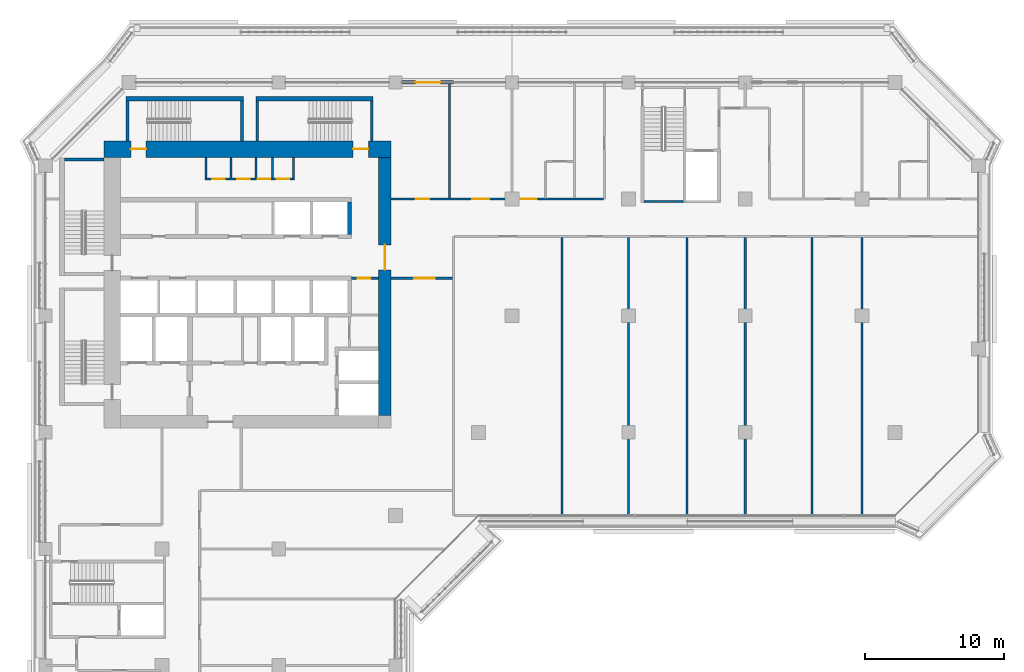
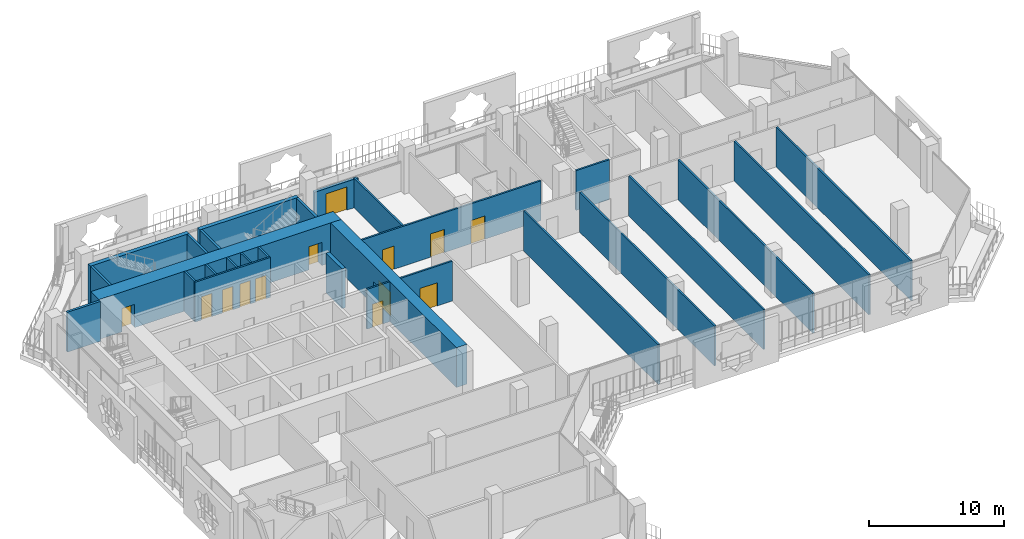
# One storey, part 12 of 21: 28 walls, 13 doors, 13 openings.
"""IFC4 building model written with IfcOpenShell, lengths in metres."""

from ifc_helpers import new_model, si_unit, direction, frame, frame_2d, origin, place, context, subcontext, project, spatial, rectangle, extrude, material, layer, layer_set, type_object, element, fill, save


model = new_model("IFC4")

# Units and contexts
model_context = context("Model", 3, precision=1e-05, world=origin(), true_north=direction((0.0, 1.0)))
body_context = subcontext(model_context, "Body", "Model", "MODEL_VIEW")
ifc_project = project(units=[si_unit("LENGTHUNIT", "METRE"), si_unit("AREAUNIT", "SQUARE_METRE"), si_unit("VOLUMEUNIT", "CUBIC_METRE"), si_unit("PLANEANGLEUNIT", "RADIAN"), si_unit("MASSUNIT", "GRAM", prefix="KILO")], contexts=[model_context])

# Site, building, storey
site_placement = place(None, origin())
site = spatial("IfcSite", under=ifc_project, at=site_placement, CompositionType="ELEMENT")
building_placement = place(site_placement, origin())
building = spatial("IfcBuilding", under=site, at=building_placement, Name="Kawkab Arch Medical Tower", CompositionType="ELEMENT")
storey_placement = place(building_placement, frame((0.0, 0.0, 200.39990234375)))
storey = spatial("IfcBuildingStorey", under=building, at=storey_placement, Name="L46", CompositionType="ELEMENT", Elevation=200.39990234375)

# Wall, openings, doors
ifc_material_1 = material(Name="Concrete C55/67", Category="concrete")
ifc_layer_1 = layer(ifc_material_1, 1.199951171875)
ifc_layer_set_1 = layer_set([ifc_layer_1], Name="Concrete C55/67")
wall_type_1 = type_object("IfcWallType", Name="Core ring wall 1200 C55/67", PredefinedType="SHEAR", material=ifc_layer_set_1)
wall_1_placement = place(storey_placement, frame((4.199951171875, -4.800048828125, 0.0), z_axis=(0.0, 0.0, 1.0), x_axis=(1.0, 0.0, 0.0)))
wall_1 = element("IfcWall", 1, at=wall_1_placement, inside=storey, type_object=wall_type_1, Name="L46 core wall", PredefinedType="SHEAR", context=body_context, shape_type="SweptSolid", body=[
    extrude(rectangle(XDim=20.699951171875, YDim=1.199951171875, at=frame_2d((10.35009765625, 0.0))), origin(), (0.0, 0.0, 1.0), 3.60009765625),
])
opening_1_placement = place(wall_1_placement, frame((1.949951171875, 0.0, 0.0)))
opening_1 = element("IfcOpeningElement", 2, at=opening_1_placement, cuts=wall_1, Name="Opening SD", PredefinedType="OPENING", context=body_context, shape_type="SweptSolid", body=[
    extrude(rectangle(XDim=1.10009765625, YDim=2.10009765625, at=frame_2d((0.550048828125, 1.050048828125))), frame((0.0, 0.60986328125, 0.0), z_axis=(0.0, -1.0, 0.0), x_axis=(1.0, 0.0, 0.0)), (0.0, 0.0, 1.0), 1.219970703125),
])
opening_2_placement = place(wall_1_placement, frame((17.949951171875, 0.0, 0.0)))
opening_2 = element("IfcOpeningElement", 3, at=opening_2_placement, cuts=wall_1, Name="Opening SD", PredefinedType="OPENING", context=body_context, shape_type="SweptSolid", body=[
    extrude(rectangle(XDim=1.10009765625, YDim=2.10009765625, at=frame_2d((0.550048828125, 1.050048828125))), frame((0.0, 0.60986328125, 0.0), z_axis=(0.0, -1.0, 0.0), x_axis=(1.0, 0.0, 0.0)), (0.0, 0.0, 1.0), 1.219970703125),
])
ifc_material_2 = material(Name="Hollow metal fire door leaf")
door_type_1 = type_object("IfcDoorType", Name="Exit stair door 1100", OperationType="SINGLE_SWING_LEFT", PredefinedType="DOOR", material=ifc_material_2)
door_1_placement = place(opening_1_placement, origin())
door_1 = element("IfcDoor", 4, at=door_1_placement, inside=storey, type_object=door_type_1, Name="L46 Exit stair ST3 door", OperationType="SINGLE_SWING_LEFT", OverallHeight=2.10009765625, OverallWidth=1.10009765625, PredefinedType="DOOR", context=body_context, shape_type="SweptSolid", body=[
    extrude(rectangle(XDim=1.10009765625, YDim=2.10009765625, at=frame_2d((0.550048828125, 1.050048828125))), frame((0.0, 0.02490234375, 0.0), z_axis=(0.0, -1.0, 0.0), x_axis=(1.0, 0.0, 0.0)), (0.0, 0.0, 1.0), 0.050048828125),
])
fill(opening_1, door_1)
door_2_placement = place(opening_2_placement, origin())
door_2 = element("IfcDoor", 5, at=door_2_placement, inside=storey, type_object=door_type_1, Name="L46 Exit stair ST4 door", OperationType="SINGLE_SWING_LEFT", OverallHeight=2.10009765625, OverallWidth=1.10009765625, PredefinedType="DOOR", context=body_context, shape_type="SweptSolid", body=[
    extrude(rectangle(XDim=1.10009765625, YDim=2.10009765625, at=frame_2d((0.550048828125, 1.050048828125))), frame((0.0, 0.02490234375, 0.0), z_axis=(0.0, -1.0, 0.0), x_axis=(1.0, 0.0, 0.0)), (0.0, 0.0, 1.0), 0.050048828125),
])
fill(opening_2, door_2)

# Wall, opening, door
ifc_material_3 = material(Name="Concrete C55/67", Category="concrete")
ifc_layer_2 = layer(ifc_material_3, 0.89990234375)
ifc_layer_set_2 = layer_set([ifc_layer_2], Name="Concrete C55/67")
wall_type_2 = type_object("IfcWallType", Name="Core ring wall 900 C55/67", PredefinedType="SHEAR", material=ifc_layer_set_2)
wall_2_placement = place(storey_placement, frame((24.449951171875, -24.0, 0.0), z_axis=(0.0, 0.0, 1.0), x_axis=(0.0, 1.0, 0.0)))
wall_2 = element("IfcWall", 6, at=wall_2_placement, inside=storey, type_object=wall_type_2, Name="L46 core wall", PredefinedType="SHEAR", context=body_context, shape_type="SweptSolid", body=[
    extrude(rectangle(XDim=18.60009765625, YDim=0.89990234375, at=frame_2d((9.300048828125, 0.0))), origin(), (0.0, 0.0, 1.0), 3.60009765625),
])
opening_3_placement = place(wall_2_placement, frame((10.5, 0.0, 0.0)))
opening_3 = element("IfcOpeningElement", 7, at=opening_3_placement, cuts=wall_2, Name="Opening PD", PredefinedType="OPENING", context=body_context, shape_type="SweptSolid", body=[
    extrude(rectangle(XDim=1.800048828125, YDim=2.10009765625, at=frame_2d((0.89990234375, 1.050048828125))), frame((0.0, 0.4599609375, 0.0), z_axis=(0.0, -1.0, 0.0), x_axis=(1.0, 0.0, 0.0)), (0.0, 0.0, 1.0), 0.919921875),
])
ifc_material_4 = material(Name="Hollow metal fire door leaf")
door_type_2 = type_object("IfcDoorType", Name="Core entrance doors 1800", OperationType="DOUBLE_DOOR_SINGLE_SWING", PredefinedType="DOOR", material=ifc_material_4)
door_3_placement = place(opening_3_placement, origin())
door_3 = element("IfcDoor", 8, at=door_3_placement, inside=storey, type_object=door_type_2, Name="L46 East entrance doors", OperationType="DOUBLE_DOOR_SINGLE_SWING", OverallHeight=2.10009765625, OverallWidth=1.800048828125, PredefinedType="DOOR", context=body_context, shape_type="SweptSolid", body=[
    extrude(rectangle(XDim=1.800048828125, YDim=2.10009765625, at=frame_2d((0.89990234375, 1.050048828125))), frame((0.0, 0.02490234375, 0.0), z_axis=(0.0, -1.0, 0.0), x_axis=(1.0, 0.0, 0.0)), (0.0, 0.0, 1.0), 0.050048828125),
])
fill(opening_3, door_3)

ifc_material_5 = material(Name="Gypsum board on steel studs", Category="steel")
ifc_layer_3 = layer(ifc_material_5, 0.14990234375)
ifc_layer_set_3 = layer_set([ifc_layer_3], Name="Gypsum board on steel studs")
wall_type_3 = type_object("IfcWallType", Name="Core room partition 150", PredefinedType="PARTITIONING", material=ifc_layer_set_3)
wall_3_placement = place(storey_placement, frame((22.050048828125, -14.10009765625, 0.0), z_axis=(0.0, 0.0, 1.0), x_axis=(1.0, 0.0, 0.0)))
wall_3 = element("IfcWall", 9, at=wall_3_placement, inside=storey, type_object=wall_type_3, Name="L46 core room partition", PredefinedType="PARTITIONING", context=body_context, shape_type="SweptSolid", body=[
    extrude(rectangle(XDim=1.949951171875, YDim=0.14990234375, at=frame_2d((0.97509765625, 0.0))), origin(), (0.0, 0.0, 1.0), 3.60009765625),
])
opening_4_placement = place(wall_3_placement, frame((0.449951171875, 0.0, 0.0)))
opening_4 = element("IfcOpeningElement", 10, at=opening_4_placement, cuts=wall_3, Name="Opening RD", PredefinedType="OPENING", context=body_context, shape_type="SweptSolid", body=[
    extrude(rectangle(XDim=0.89990234375, YDim=2.10009765625, at=frame_2d((0.449951171875, 1.050048828125))), frame((0.0, 0.0849609375, 0.0), z_axis=(0.0, -1.0, 0.0), x_axis=(1.0, 0.0, 0.0)), (0.0, 0.0, 1.0), 0.169921875),
])
ifc_material_6 = material(Name="Hollow metal fire door leaf")
door_type_3 = type_object("IfcDoorType", Name="Core room door 900", OperationType="SINGLE_SWING_LEFT", PredefinedType="DOOR", material=ifc_material_6)
door_4_placement = place(opening_4_placement, origin())
door_4 = element("IfcDoor", 11, at=door_4_placement, inside=storey, type_object=door_type_3, Name="L46 UPS room door", OperationType="SINGLE_SWING_LEFT", OverallHeight=2.10009765625, OverallWidth=0.89990234375, PredefinedType="DOOR", context=body_context, shape_type="SweptSolid", body=[
    extrude(rectangle(XDim=0.89990234375, YDim=2.10009765625, at=frame_2d((0.449951171875, 1.050048828125))), frame((0.0, 0.02490234375, 0.0), z_axis=(0.0, -1.0, 0.0), x_axis=(1.0, 0.0, 0.0)), (0.0, 0.0, 1.0), 0.050048828125),
])
fill(opening_4, door_4)

# Wall, openings, doors
wall_4_placement = place(storey_placement, frame((11.47509765625, -6.949951171875, 0.0), z_axis=(0.0, 0.0, 1.0), x_axis=(1.0, 0.0, 0.0)))
wall_4 = element("IfcWall", 12, at=wall_4_placement, inside=storey, type_object=wall_type_3, Name="L46 core room partition", PredefinedType="PARTITIONING", context=body_context, shape_type="SweptSolid", body=[
    extrude(rectangle(XDim=6.449951171875, YDim=0.14990234375, at=frame_2d((3.22509765625, 0.0))), origin(), (0.0, 0.0, 1.0), 3.60009765625),
])
opening_5_placement = place(wall_4_placement, frame((0.52490234375, 0.0, 0.0)))
opening_5 = element("IfcOpeningElement", 13, at=opening_5_placement, cuts=wall_4, Name="Opening RD", PredefinedType="OPENING", context=body_context, shape_type="SweptSolid", body=[
    extrude(rectangle(XDim=0.89990234375, YDim=2.10009765625, at=frame_2d((0.449951171875, 1.050048828125))), frame((0.0, 0.0849609375, 0.0), z_axis=(0.0, -1.0, 0.0), x_axis=(1.0, 0.0, 0.0)), (0.0, 0.0, 1.0), 0.169921875),
])
opening_6_placement = place(wall_4_placement, frame((2.324951171875, 0.0, 0.0)))
opening_6 = element("IfcOpeningElement", 14, at=opening_6_placement, cuts=wall_4, Name="Opening RD", PredefinedType="OPENING", context=body_context, shape_type="SweptSolid", body=[
    extrude(rectangle(XDim=0.89990234375, YDim=2.10009765625, at=frame_2d((0.449951171875, 1.050048828125))), frame((0.0, 0.0849609375, 0.0), z_axis=(0.0, -1.0, 0.0), x_axis=(1.0, 0.0, 0.0)), (0.0, 0.0, 1.0), 0.169921875),
])
opening_7_placement = place(wall_4_placement, frame((3.824951171875, 0.0, 0.0)))
opening_7 = element("IfcOpeningElement", 15, at=opening_7_placement, cuts=wall_4, Name="Opening RD", PredefinedType="OPENING", context=body_context, shape_type="SweptSolid", body=[
    extrude(rectangle(XDim=0.89990234375, YDim=2.10009765625, at=frame_2d((0.449951171875, 1.050048828125))), frame((0.0, 0.0849609375, 0.0), z_axis=(0.0, -1.0, 0.0), x_axis=(1.0, 0.0, 0.0)), (0.0, 0.0, 1.0), 0.169921875),
])
opening_8_placement = place(wall_4_placement, frame((5.175048828125, 0.0, 0.0)))
opening_8 = element("IfcOpeningElement", 16, at=opening_8_placement, cuts=wall_4, Name="Opening RD", PredefinedType="OPENING", context=body_context, shape_type="SweptSolid", body=[
    extrude(rectangle(XDim=0.89990234375, YDim=2.10009765625, at=frame_2d((0.449951171875, 1.050048828125))), frame((0.0, 0.0849609375, 0.0), z_axis=(0.0, -1.0, 0.0), x_axis=(1.0, 0.0, 0.0)), (0.0, 0.0, 1.0), 0.169921875),
])
door_5_placement = place(opening_5_placement, origin())
door_5 = element("IfcDoor", 17, at=door_5_placement, inside=storey, type_object=door_type_3, Name="L46 Linen store door", OperationType="SINGLE_SWING_LEFT", OverallHeight=2.10009765625, OverallWidth=0.89990234375, PredefinedType="DOOR", context=body_context, shape_type="SweptSolid", body=[
    extrude(rectangle(XDim=0.89990234375, YDim=2.10009765625, at=frame_2d((0.449951171875, 1.050048828125))), frame((0.0, 0.02490234375, 0.0), z_axis=(0.0, -1.0, 0.0), x_axis=(1.0, 0.0, 0.0)), (0.0, 0.0, 1.0), 0.050048828125),
])
fill(opening_5, door_5)
door_6_placement = place(opening_6_placement, origin())
door_6 = element("IfcDoor", 18, at=door_6_placement, inside=storey, type_object=door_type_3, Name="L46 Comms room door", OperationType="SINGLE_SWING_LEFT", OverallHeight=2.10009765625, OverallWidth=0.89990234375, PredefinedType="DOOR", context=body_context, shape_type="SweptSolid", body=[
    extrude(rectangle(XDim=0.89990234375, YDim=2.10009765625, at=frame_2d((0.449951171875, 1.050048828125))), frame((0.0, 0.02490234375, 0.0), z_axis=(0.0, -1.0, 0.0), x_axis=(1.0, 0.0, 0.0)), (0.0, 0.0, 1.0), 0.050048828125),
])
fill(opening_6, door_6)
door_7_placement = place(opening_7_placement, origin())
door_7 = element("IfcDoor", 19, at=door_7_placement, inside=storey, type_object=door_type_3, Name="L46 Electrical riser room door", OperationType="SINGLE_SWING_LEFT", OverallHeight=2.10009765625, OverallWidth=0.89990234375, PredefinedType="DOOR", context=body_context, shape_type="SweptSolid", body=[
    extrude(rectangle(XDim=0.89990234375, YDim=2.10009765625, at=frame_2d((0.449951171875, 1.050048828125))), frame((0.0, 0.02490234375, 0.0), z_axis=(0.0, -1.0, 0.0), x_axis=(1.0, 0.0, 0.0)), (0.0, 0.0, 1.0), 0.050048828125),
])
fill(opening_7, door_7)
door_8_placement = place(opening_8_placement, origin())
door_8 = element("IfcDoor", 20, at=door_8_placement, inside=storey, type_object=door_type_3, Name="L46 Ward pantry door", OperationType="SINGLE_SWING_LEFT", OverallHeight=2.10009765625, OverallWidth=0.89990234375, PredefinedType="DOOR", context=body_context, shape_type="SweptSolid", body=[
    extrude(rectangle(XDim=0.89990234375, YDim=2.10009765625, at=frame_2d((0.449951171875, 1.050048828125))), frame((0.0, 0.02490234375, 0.0), z_axis=(0.0, -1.0, 0.0), x_axis=(1.0, 0.0, 0.0)), (0.0, 0.0, 1.0), 0.050048828125),
])
fill(opening_8, door_8)

# Walls
for number, where, z_axis, x_axis, name in (
    (21, (11.550048828125, -6.875, 0.0), (0.0, 0.0, 1.0), (0.0, 1.0, 0.0), "L46 core room partition"),
    (22, (13.35009765625, -6.875, 0.0), (0.0, 0.0, 1.0), (0.0, 1.0, 0.0), "L46 core room partition"),
    (23, (15.14990234375, -6.875, 0.0), (0.0, 0.0, 1.0), (0.0, 1.0, 0.0), "L46 core room partition"),
    (24, (16.35009765625, -6.875, 0.0), (0.0, 0.0, 1.0), (0.0, 1.0, 0.0), "L46 core room partition"),
    (25, (17.85009765625, -6.875, 0.0), (0.0, 0.0, 1.0), (0.0, 1.0, 0.0), "L46 core room partition"),
):
    element("IfcWall", number, at=place(storey_placement, frame(where, z_axis=z_axis, x_axis=x_axis)), inside=storey, type_object=wall_type_3, Name=name, PredefinedType="PARTITIONING", context=body_context, shape_type="SweptSolid", body=[
        extrude(rectangle(XDim=1.47509765625, YDim=0.14990234375, at=frame_2d((0.737548828125, 0.0))), origin(), (0.0, 0.0, 1.0), 3.60009765625),
    ])
ifc_material_7 = material(Name="Concrete C60/75", Category="concrete")
ifc_layer_4 = layer(ifc_material_7, 0.300048828125)
ifc_layer_set_4 = layer_set([ifc_layer_4], Name="Concrete C60/75")
wall_type_4 = type_object("IfcWallType", Name="Core shear wall 300 C60/75", PredefinedType="SHEAR", material=ifc_layer_set_4)
wall_5_placement = place(storey_placement, frame((21.89990234375, -10.949951171875, 0.0), z_axis=(0.0, 0.0, 1.0), x_axis=(0.0, 1.0, 0.0)))
element("IfcWall", 26, at=wall_5_placement, inside=storey, type_object=wall_type_4, Name="L46 core shear wall", PredefinedType="SHEAR", context=body_context, shape_type="SweptSolid", body=[
    extrude(rectangle(XDim=2.349853515625, YDim=0.300048828125, at=frame_2d((1.1748046875, 0.0))), origin(), (0.0, 0.0, 1.0), 3.60009765625),
])

# Wall, opening, door
ifc_material_8 = material(Name="Bronze clad insulated wall panel")
ifc_layer_5 = layer(ifc_material_8, 0.25)
ifc_layer_set_5 = layer_set([ifc_layer_5], Name="Bronze clad insulated wall panel")
wall_type_5 = type_object("IfcWallType", Name="External wall bay 250", PredefinedType="SOLIDWALL", material=ifc_layer_set_5)
wall_6_placement = place(storey_placement, frame((29.39990234375, 0.0, 0.0), z_axis=(0.0, 0.0, 1.0), x_axis=(-1.0, 0.0, 0.0)))
wall_6 = element("IfcWall", 27, at=wall_6_placement, inside=storey, type_object=wall_type_5, Name="External wall bay L46.R11.4.2", PredefinedType="SOLIDWALL", context=body_context, shape_type="SweptSolid", body=[
    extrude(rectangle(XDim=3.724853515625, YDim=0.25, at=frame_2d((1.8623046875, 0.0))), origin(), (0.0, 0.0, 1.0), 2.580078125),
])
opening_9_placement = place(wall_6_placement, frame((0.96240234375, 0.0, 0.0)))
opening_9 = element("IfcOpeningElement", 28, at=opening_9_placement, cuts=wall_6, Name="Opening W41-701", PredefinedType="OPENING", context=body_context, shape_type="SweptSolid", body=[
    extrude(rectangle(XDim=1.800048828125, YDim=2.10009765625, at=frame_2d((0.89990234375, 1.050048828125))), frame((0.0, 0.135009765625, 0.0), z_axis=(0.0, -1.0, 0.0), x_axis=(1.0, 0.0, 0.0)), (0.0, 0.0, 1.0), 0.27001953125),
])
ifc_material_9 = material(Name="Bronze anodised aluminium door with tinted glass", Category="aluminium")
door_type_4 = type_object("IfcDoorType", Name="Double external door 1800 x 2100", OperationType="DOUBLE_DOOR_SINGLE_SWING", PredefinedType="DOOR", material=ifc_material_9)
door_9_placement = place(opening_9_placement, origin())
door_9 = element("IfcDoor", 29, at=door_9_placement, inside=storey, type_object=door_type_4, Name="External door L46.R11.4.2", OperationType="DOUBLE_DOOR_SINGLE_SWING", OverallHeight=2.10009765625, OverallWidth=1.800048828125, PredefinedType="DOOR", context=body_context, shape_type="SweptSolid", body=[
    extrude(rectangle(XDim=1.800048828125, YDim=2.10009765625, at=frame_2d((0.89990234375, 1.050048828125))), frame((0.0, 0.02490234375, 0.0), z_axis=(0.0, -1.0, 0.0), x_axis=(1.0, 0.0, 0.0)), (0.0, 0.0, 1.0), 0.050048828125),
])
fill(opening_9, door_9)

ifc_material_10 = material(Name="Gypsum board partition on steel studs, mineral wool", Category="steel")
ifc_layer_6 = layer(ifc_material_10, 0.14990234375)
ifc_layer_set_6 = layer_set([ifc_layer_6], Name="Gypsum board partition on steel studs, mineral wool")
wall_type_6 = type_object("IfcWallType", Name="Partition 150", PredefinedType="PARTITIONING", material=ifc_layer_set_6)
wall_7_placement = place(storey_placement, frame((24.89990234375, -14.10009765625, 0.0), z_axis=(0.0, 0.0, 1.0), x_axis=(1.0, 0.0, 0.0)))
wall_7 = element("IfcWall", 30, at=wall_7_placement, inside=storey, type_object=wall_type_6, Name="Partition 150 w019", PredefinedType="PARTITIONING", context=body_context, shape_type="SweptSolid", body=[
    extrude(rectangle(XDim=4.425048828125, YDim=0.14990234375, at=frame_2d((2.21240234375, 0.0))), origin(), (0.0, 0.0, 1.0), 3.60009765625),
])
opening_10_placement = place(wall_7_placement, frame((1.64990234375, 0.0, 0.0)))
opening_10 = element("IfcOpeningElement", 31, at=opening_10_placement, cuts=wall_7, Name="Opening W41-001", PredefinedType="OPENING", context=body_context, shape_type="SweptSolid", body=[
    extrude(rectangle(XDim=1.5, YDim=2.10009765625, at=frame_2d((0.75, 1.050048828125))), frame((0.0, 0.0849609375, 0.0), z_axis=(0.0, -1.0, 0.0), x_axis=(1.0, 0.0, 0.0)), (0.0, 0.0, 1.0), 0.169921875),
])
ifc_material_11 = material(Name="Hollow metal door leaf")
door_type_5 = type_object("IfcDoorType", Name="Double door 1500x2100 FD30S", OperationType="NOTDEFINED", PredefinedType="DOOR", material=ifc_material_11)
door_10_placement = place(opening_10_placement, origin())
door_10 = element("IfcDoor", 32, at=door_10_placement, inside=storey, type_object=door_type_5, Name="Door W41-001", OperationType="DOUBLE_DOOR_SINGLE_SWING", OverallHeight=2.10009765625, OverallWidth=1.5, PredefinedType="DOOR", context=body_context, shape_type="SweptSolid", body=[
    extrude(rectangle(XDim=1.5, YDim=2.10009765625, at=frame_2d((0.75, 1.050048828125))), frame((0.0, 0.02490234375, 0.0), z_axis=(0.0, -1.0, 0.0), x_axis=(1.0, 0.0, 0.0)), (0.0, 0.0, 1.0), 0.050048828125),
])
fill(opening_10, door_10)

# Wall, openings, doors
wall_8_placement = place(storey_placement, frame((24.89990234375, -8.39990234375, 0.0), z_axis=(0.0, 0.0, 1.0), x_axis=(1.0, 0.0, 0.0)))
wall_8 = element("IfcWall", 33, at=wall_8_placement, inside=storey, type_object=wall_type_6, Name="Partition 150 w022", PredefinedType="PARTITIONING", context=body_context, shape_type="SweptSolid", body=[
    extrude(rectangle(XDim=15.281982421875, YDim=0.14990234375, at=frame_2d((7.64111328125, 0.0))), origin(), (0.0, 0.0, 1.0), 3.60009765625),
])
opening_11_placement = place(wall_8_placement, frame((1.75, 0.0, 0.0)))
opening_11 = element("IfcOpeningElement", 34, at=opening_11_placement, cuts=wall_8, Name="Opening W41-008", PredefinedType="OPENING", context=body_context, shape_type="SweptSolid", body=[
    extrude(rectangle(XDim=1.0, YDim=2.10009765625, at=frame_2d((0.5, 1.050048828125))), frame((0.0, 0.0849609375, 0.0), z_axis=(0.0, -1.0, 0.0), x_axis=(1.0, 0.0, 0.0)), (0.0, 0.0, 1.0), 0.169921875),
])
opening_12_placement = place(wall_8_placement, frame((5.85009765625, 0.0, 0.0)))
opening_12 = element("IfcOpeningElement", 35, at=opening_12_placement, cuts=wall_8, Name="Opening W41-023", PredefinedType="OPENING", context=body_context, shape_type="SweptSolid", body=[
    extrude(rectangle(XDim=1.199951171875, YDim=2.10009765625, at=frame_2d((0.60009765625, 1.050048828125))), frame((0.0, 0.0849609375, 0.0), z_axis=(0.0, -1.0, 0.0), x_axis=(1.0, 0.0, 0.0)), (0.0, 0.0, 1.0), 0.169921875),
])
opening_13_placement = place(wall_8_placement, frame((9.300048828125, 0.0, 0.0)))
opening_13 = element("IfcOpeningElement", 36, at=opening_13_placement, cuts=wall_8, Name="Opening W41-024", PredefinedType="OPENING", context=body_context, shape_type="SweptSolid", body=[
    extrude(rectangle(XDim=1.199951171875, YDim=2.10009765625, at=frame_2d((0.60009765625, 1.050048828125))), frame((0.0, 0.0849609375, 0.0), z_axis=(0.0, -1.0, 0.0), x_axis=(1.0, 0.0, 0.0)), (0.0, 0.0, 1.0), 0.169921875),
])
ifc_material_12 = material(Name="Hollow metal door leaf")
door_type_6 = type_object("IfcDoorType", Name="Single door 1000x2100 FD30S", OperationType="NOTDEFINED", PredefinedType="DOOR", material=ifc_material_12)
door_11_placement = place(opening_11_placement, origin())
door_11 = element("IfcDoor", 37, at=door_11_placement, inside=storey, type_object=door_type_6, Name="Door W41-008", OperationType="SINGLE_SWING_LEFT", OverallHeight=2.10009765625, OverallWidth=1.0, PredefinedType="DOOR", context=body_context, shape_type="SweptSolid", body=[
    extrude(rectangle(XDim=1.0, YDim=2.10009765625, at=frame_2d((0.5, 1.050048828125))), frame((0.0, 0.02490234375, 0.0), z_axis=(0.0, -1.0, 0.0), x_axis=(1.0, 0.0, 0.0)), (0.0, 0.0, 1.0), 0.050048828125),
])
fill(opening_11, door_11)
ifc_material_13 = material(Name="Hollow metal door leaf")
door_type_7 = type_object("IfcDoorType", Name="Single door 1200x2100 FD30S", OperationType="NOTDEFINED", PredefinedType="DOOR", material=ifc_material_13)
door_12_placement = place(opening_12_placement, origin())
door_12 = element("IfcDoor", 38, at=door_12_placement, inside=storey, type_object=door_type_7, Name="Door W41-023", OperationType="SINGLE_SWING_LEFT", OverallHeight=2.10009765625, OverallWidth=1.199951171875, PredefinedType="DOOR", context=body_context, shape_type="SweptSolid", body=[
    extrude(rectangle(XDim=1.199951171875, YDim=2.10009765625, at=frame_2d((0.60009765625, 1.050048828125))), frame((0.0, 0.02490234375, 0.0), z_axis=(0.0, -1.0, 0.0), x_axis=(1.0, 0.0, 0.0)), (0.0, 0.0, 1.0), 0.050048828125),
])
fill(opening_12, door_12)
door_13_placement = place(opening_13_placement, origin())
door_13 = element("IfcDoor", 39, at=door_13_placement, inside=storey, type_object=door_type_7, Name="Door W41-024", OperationType="SINGLE_SWING_RIGHT", OverallHeight=2.10009765625, OverallWidth=1.199951171875, PredefinedType="DOOR", context=body_context, shape_type="SweptSolid", body=[
    extrude(rectangle(XDim=1.199951171875, YDim=2.10009765625, at=frame_2d((0.60009765625, 1.050048828125))), frame((0.0, 0.02490234375, 0.0), z_axis=(0.0, -1.0, 0.0), x_axis=(1.0, 0.0, 0.0)), (0.0, 0.0, 1.0), 0.050048828125),
])
fill(opening_13, door_13)

# Walls
wall_9_placement = place(storey_placement, frame((29.10009765625, -8.324951171875, 0.0), z_axis=(0.0, 0.0, 1.0), x_axis=(0.0, 1.0, 0.0)))
element("IfcWall", 40, at=wall_9_placement, inside=storey, type_object=wall_type_6, Name="Partition 150 w031", PredefinedType="PARTITIONING", context=body_context, shape_type="SweptSolid", body=[
    extrude(rectangle(XDim=8.244873046875, YDim=0.14990234375, at=frame_2d((4.12255859375, 0.0))), origin(), (0.0, 0.0, 1.0), 2.7001953125),
])
for number, where, z_axis, x_axis, name in (
    (41, (37.199951171875, -31.1201171875, 0.0), (0.0, 0.0, 1.0), (0.0, 1.0, 0.0), "Partition 150 w034"),
    (42, (42.0, -31.1201171875, 0.0), (0.0, 0.0, 1.0), (0.0, 1.0, 0.0), "Partition 150 w038"),
    (43, (46.199951171875, -31.1201171875, 0.0), (0.0, 0.0, 1.0), (0.0, 1.0, 0.0), "Partition 150 w040"),
    (44, (50.39990234375, -31.1201171875, 0.0), (0.0, 0.0, 1.0), (0.0, 1.0, 0.0), "Partition 150 w041"),
    (45, (55.199951171875, -31.1201171875, 0.0), (0.0, 0.0, 1.0), (0.0, 1.0, 0.0), "Partition 150 w045"),
    (46, (58.800048828125, -31.1201171875, 0.0), (0.0, 0.0, 1.0), (0.0, 1.0, 0.0), "Partition 150 w046"),
):
    element("IfcWall", number, at=place(storey_placement, frame(where, z_axis=z_axis, x_axis=x_axis)), inside=storey, type_object=wall_type_6, Name=name, PredefinedType="PARTITIONING", context=body_context, shape_type="SweptSolid", body=[
        extrude(rectangle(XDim=19.945068359375, YDim=0.14990234375, at=frame_2d((9.97265625, 0.0))), origin(), (0.0, 0.0, 1.0), 3.60009765625),
    ])
ifc_material_14 = material(Name="Concrete C50/60", Category="concrete")
ifc_layer_7 = layer(ifc_material_14, 0.14990234375)
ifc_layer_set_7 = layer_set([ifc_layer_7], Name="Concrete C50/60")
wall_type_7 = type_object("IfcWallType", Name="Stair enclosure wall 150 C50/60", PredefinedType="SHEAR", material=ifc_layer_set_7)
wall_10_placement = place(storey_placement, frame((43.10009765625, -8.574951171875, 0.0), z_axis=(0.0, 0.0, 1.0), x_axis=(1.0, 0.0, 0.0)))
element("IfcWall", 47, at=wall_10_placement, inside=storey, type_object=wall_type_7, Name="L46 stair enclosure wall", PredefinedType="SHEAR", context=body_context, shape_type="SweptSolid", body=[
    extrude(rectangle(XDim=2.849853515625, YDim=0.14990234375, at=frame_2d((1.4248046875, 0.0))), origin(), (0.0, 0.0, 1.0), 3.60009765625),
])
ifc_material_15 = material(Name="Concrete C50/60", Category="concrete")
ifc_layer_8 = layer(ifc_material_15, 0.199951171875)
ifc_layer_set_8 = layer_set([ifc_layer_8], Name="Concrete C50/60")
wall_type_8 = type_object("IfcWallType", Name="Stair enclosure wall 200 C50/60", PredefinedType="SHEAR", material=ifc_layer_set_8)
for number, where, z_axis, x_axis, name in (
    (48, (1.35009765625, -5.550048828125, 0.0), (0.0, 0.0, 1.0), (1.0, 0.0, 0.0), "L46 stair enclosure wall"),
    (49, (5.89990234375, -4.199951171875, 0.0), (0.0, 0.0, 1.0), (0.0, 1.0, 0.0), "L46 stair enclosure wall"),
    (50, (14.14990234375, -4.199951171875, 0.0), (0.0, 0.0, 1.0), (0.0, 1.0, 0.0), "L46 stair enclosure wall"),
    (51, (15.25, -4.199951171875, 0.0), (0.0, 0.0, 1.0), (0.0, 1.0, 0.0), "L46 stair enclosure wall"),
    (52, (23.5, -4.199951171875, 0.0), (0.0, 0.0, 1.0), (0.0, 1.0, 0.0), "L46 stair enclosure wall"),
):
    element("IfcWall", number, at=place(storey_placement, frame(where, z_axis=z_axis, x_axis=x_axis)), inside=storey, type_object=wall_type_8, Name=name, PredefinedType="SHEAR", context=body_context, shape_type="SweptSolid", body=[
        extrude(rectangle(XDim=2.849853515625, YDim=0.199951171875, at=frame_2d((1.4248046875, 0.0))), origin(), (0.0, 0.0, 1.0), 3.60009765625),
    ])
ifc_material_16 = material(Name="Concrete C50/60", Category="concrete")
ifc_layer_9 = layer(ifc_material_16, 0.35009765625)
ifc_layer_set_9 = layer_set([ifc_layer_9], Name="Concrete C50/60")
wall_type_9 = type_object("IfcWallType", Name="Stair enclosure wall 350 C50/60", PredefinedType="SHEAR", material=ifc_layer_set_9)
wall_11_placement = place(storey_placement, frame((5.800048828125, -1.175048828125, 0.0), z_axis=(0.0, 0.0, 1.0), x_axis=(1.0, 0.0, 0.0)))
element("IfcWall", 53, at=wall_11_placement, inside=storey, type_object=wall_type_9, Name="L46 stair enclosure wall", PredefinedType="SHEAR", context=body_context, shape_type="SweptSolid", body=[
    extrude(rectangle(XDim=8.449951171875, YDim=0.35009765625, at=frame_2d((4.22509765625, 0.0))), origin(), (0.0, 0.0, 1.0), 3.60009765625),
])
wall_12_placement = place(storey_placement, frame((15.14990234375, -1.175048828125, 0.0), z_axis=(0.0, 0.0, 1.0), x_axis=(1.0, 0.0, 0.0)))
element("IfcWall", 54, at=wall_12_placement, inside=storey, type_object=wall_type_9, Name="L46 stair enclosure wall", PredefinedType="SHEAR", context=body_context, shape_type="SweptSolid", body=[
    extrude(rectangle(XDim=8.4501953125, YDim=0.35009765625, at=frame_2d((4.22509765625, 0.0))), origin(), (0.0, 0.0, 1.0), 3.60009765625),
])

save(model, "model.ifc")
